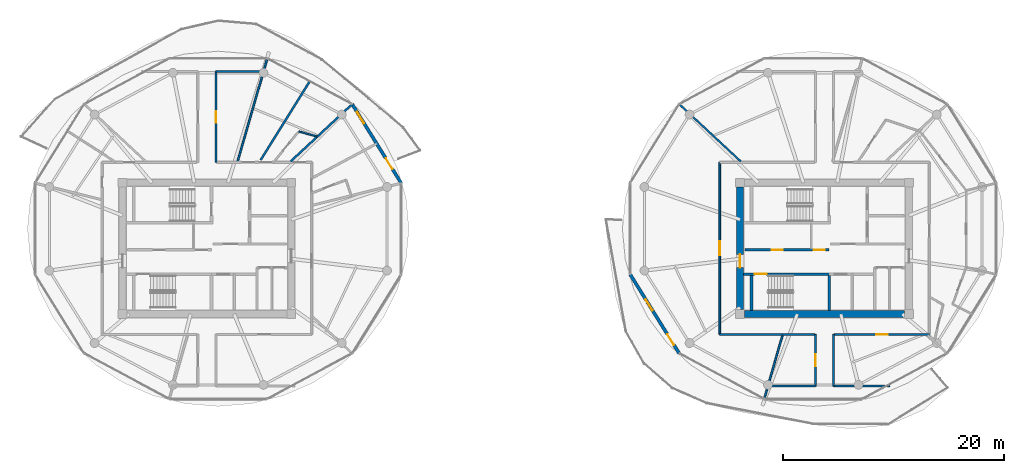
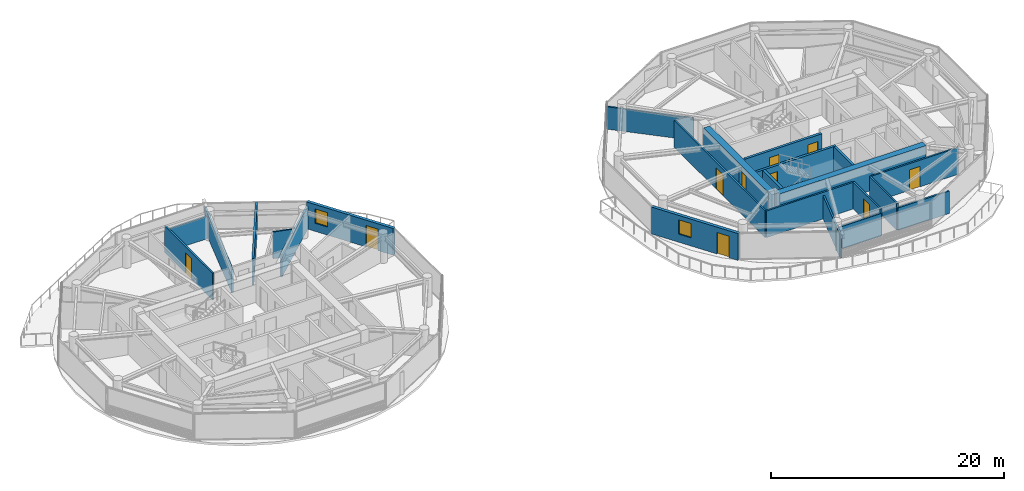
# One storey, part 14 of 21: 23 walls, 10 doors, 2 windows, 12 openings.
"""IFC4 building model written with IfcOpenShell, lengths in metres."""

from ifc_helpers import new_model, si_unit, direction, frame, frame_2d, origin, place, context, subcontext, project, spatial, rectangle, extrude, source, transform, mapped, material, layer, layer_set, type_object, type_shapes, element, fill, save


model = new_model("IFC4")

# Units and contexts
model_context = context("Model", 3, precision=1e-05, world=origin(), true_north=direction((0.0, 1.0)))
body_context = subcontext(model_context, "Body", "Model", "MODEL_VIEW")
ifc_project = project(units=[si_unit("LENGTHUNIT", "METRE"), si_unit("AREAUNIT", "SQUARE_METRE"), si_unit("VOLUMEUNIT", "CUBIC_METRE"), si_unit("PLANEANGLEUNIT", "RADIAN"), si_unit("MASSUNIT", "GRAM", prefix="KILO")], contexts=[model_context])

# Site, building, storey
site_placement = place(None, origin())
site = spatial("IfcSite", under=ifc_project, at=site_placement, CompositionType="ELEMENT")
building_placement = place(site_placement, origin())
building = spatial("IfcBuilding", under=site, at=building_placement, Name="Norrkilde Senior Care Towers", CompositionType="ELEMENT")
storey_placement = place(building_placement, frame((0.0, 0.0, 143.449951171875)))
storey = spatial("IfcBuildingStorey", under=building, at=storey_placement, Name="L44", CompositionType="ELEMENT", Elevation=143.449951171875)

# Wall
ifc_material_1 = material(Name="Concrete C50/60", Category="concrete")
ifc_layer_1 = layer(ifc_material_1, 0.6201171875)
ifc_layer_set_1 = layer_set([ifc_layer_1], Name="Concrete C50/60")
wall_type_1 = type_object("IfcWallType", Name="Core Shear Wall Z3 620", PredefinedType="SHEAR", material=ifc_layer_set_1)
shared_shape_1 = source(origin(), body_context, "Body", "SweptSolid", [
    extrude(rectangle(XDim=14.5, YDim=0.6201171875, at=frame_2d((7.25, 0.0))), origin(), (0.0, 0.0, 1.0), 2.81005859375),
])
wall_1_placement = place(storey_placement, frame((35.25, -5.949951171875, 0.0), z_axis=(0.0, 0.0, 1.0), x_axis=(-1.0, 0.0, 0.0)))
element("IfcWall", 1, at=wall_1_placement, inside=storey, type_object=wall_type_1, Name="L44 Core E South Shear Wall", PredefinedType="SHEAR", context=body_context, shape_type="MappedRepresentation", body=[
    mapped(shared_shape_1, transform((0.0, 0.0, 0.0), x_axis=(1.0, 0.0, 0.0), y_axis=(0.0, 1.0, 0.0), z_axis=(0.0, 0.0, 1.0), scale=1.0)),
])

# Wall, opening, door
shared_shape_2 = source(origin(), body_context, "Body", "SweptSolid", [
    extrude(rectangle(XDim=11.10009765625, YDim=0.6201171875, at=frame_2d((5.550048828125, 0.0))), origin(), (0.0, 0.0, 1.0), 2.81005859375),
])
type_shapes(wall_type_1, [shared_shape_1, shared_shape_2])
wall_2_placement = place(storey_placement, frame((20.35009765625, -5.550048828125, 0.0), z_axis=(0.0, 0.0, 1.0), x_axis=(0.0, 1.0, 0.0)))
wall_2 = element("IfcWall", 2, at=wall_2_placement, inside=storey, type_object=wall_type_1, Name="L44 Core E West Shear Wall", PredefinedType="SHEAR", context=body_context, shape_type="MappedRepresentation", body=[
    mapped(shared_shape_2, transform((0.0, 0.0, 0.0), x_axis=(1.0, 0.0, 0.0), y_axis=(0.0, 1.0, 0.0), z_axis=(0.0, 0.0, 1.0), scale=1.0)),
])
opening_1_placement = place(wall_2_placement, frame((3.800048828125, 0.0, 0.0)))
opening_1 = element("IfcOpeningElement", 3, at=opening_1_placement, cuts=wall_2, Name="Opening D-04", PredefinedType="OPENING", context=body_context, shape_type="SweptSolid", body=[
    extrude(rectangle(XDim=1.199951171875, YDim=2.14990234375, at=frame_2d((0.60009765625, 1.074951171875))), frame((0.0, 0.320068359375, 0.0), z_axis=(0.0, -1.0, 0.0), x_axis=(1.0, 0.0, 0.0)), (0.0, 0.0, 1.0), 0.64013671875),
])
ifc_material_2 = material(Name="Galvanised Painted Steel", Category="steel")
door_type_1 = type_object("IfcDoorType", Name="Firefighting Lobby Fire Door 1200x2150", OperationType="NOTDEFINED", PredefinedType="DOOR", material=ifc_material_2)
shared_shape_3 = source(origin(), body_context, "Body", "SweptSolid", [
    extrude(rectangle(XDim=1.199951171875, YDim=2.14990234375, at=frame_2d((0.60009765625, 1.074951171875))), frame((0.0, 0.02490234375, 0.0), z_axis=(0.0, -1.0, 0.0), x_axis=(1.0, 0.0, 0.0)), (0.0, 0.0, 1.0), 0.050048828125),
])
type_shapes(door_type_1, [shared_shape_3])
door_1_placement = place(opening_1_placement, frame((1.199951171875, 0.0, 0.0), z_axis=(0.0, 0.0, 1.0), x_axis=(-1.0, 0.0, 0.0)))
door_1 = element("IfcDoor", 4, at=door_1_placement, inside=storey, type_object=door_type_1, Name="L44 Core E West Portal Door", OperationType="SINGLE_SWING_LEFT", OverallHeight=2.14990234375, OverallWidth=1.199951171875, PredefinedType="DOOR", context=body_context, shape_type="MappedRepresentation", body=[
    mapped(shared_shape_3, transform((0.0, 0.0, 0.0), x_axis=(1.0, 0.0, 0.0), y_axis=(0.0, 1.0, 0.0), z_axis=(0.0, 0.0, 1.0), scale=1.0)),
])
fill(opening_1, door_1)

# Wall, openings, door, window
ifc_material_3 = material(Name="Precast concrete C45/55", Category="concrete")
ifc_layer_2 = layer(ifc_material_3, 0.2900390625)
ifc_layer_set_2 = layer_set([ifc_layer_2], Name="Precast concrete C45/55")
wall_type_2 = type_object("IfcWallType", Name="Winter Garden Facade Wall 290", PredefinedType="SOLIDWALL", material=ifc_layer_set_2)
shared_shape_4 = source(origin(), body_context, "Body", "SweptSolid", [
    extrude(rectangle(XDim=8.431396484375, YDim=0.2900390625, at=frame_2d((4.2158203125, 0.0))), origin(), (0.0, 0.0, 1.0), 2.81005859375),
])
type_shapes(wall_type_2, [shared_shape_4])
wall_3_placement = place(storey_placement, frame((-14.826904296875, 13.074951171875, 0.0), z_axis=(0.0, 0.0, 1.0), x_axis=(0.527377998418, -0.849630770855, 0.0)))
wall_3 = element("IfcWall", 5, at=wall_3_placement, inside=storey, type_object=wall_type_2, Name="L44 Drum W Balcony Access Wall 00", PredefinedType="SOLIDWALL", context=body_context, shape_type="MappedRepresentation", body=[
    mapped(shared_shape_4, transform((0.0, 0.0, 0.0), x_axis=(1.0, 0.0, 0.0), y_axis=(0.0, 1.0, 0.0), z_axis=(0.0, 0.0, 1.0), scale=1.0)),
])
opening_2_placement = place(wall_3_placement, frame((5.780029296875, 0.0, 0.0)))
opening_2 = element("IfcOpeningElement", 6, at=opening_2_placement, cuts=wall_3, Name="Opening D-09", PredefinedType="OPENING", context=body_context, shape_type="SweptSolid", body=[
    extrude(rectangle(XDim=1.14990234375, YDim=2.25, at=frame_2d((0.574951171875, 1.125))), frame((0.0, 0.155029296875, 0.0), z_axis=(0.0, -1.0, 0.0), x_axis=(1.0, 0.0, 0.0)), (0.0, 0.0, 1.0), 0.31005859375),
])
opening_3_placement = place(wall_3_placement, frame((0.85009765625, 0.0, 0.85009765625)))
opening_3 = element("IfcOpeningElement", 7, at=opening_3_placement, cuts=wall_3, Name="Opening WN-07", PredefinedType="OPENING", context=body_context, shape_type="SweptSolid", body=[
    extrude(rectangle(XDim=1.199951171875, YDim=1.5, at=frame_2d((0.60009765625, 0.75))), frame((0.0, 0.155029296875, 0.0), z_axis=(0.0, -1.0, 0.0), x_axis=(1.0, 0.0, 0.0)), (0.0, 0.0, 1.0), 0.31005859375),
])
ifc_material_4 = material(Name="Anodised Aluminium", Category="aluminium")
door_type_2 = type_object("IfcDoorType", Name="Terrace and Balcony Glazed Door 1150x2250", OperationType="NOTDEFINED", PredefinedType="DOOR", material=ifc_material_4)
shared_shape_5 = source(origin(), body_context, "Body", "SweptSolid", [
    extrude(rectangle(XDim=1.14990234375, YDim=2.25, at=frame_2d((0.574951171875, 1.125))), frame((0.0, 0.02490234375, 0.0), z_axis=(0.0, -1.0, 0.0), x_axis=(1.0, 0.0, 0.0)), (0.0, 0.0, 1.0), 0.050048828125),
])
type_shapes(door_type_2, [shared_shape_5])
door_2_placement = place(opening_2_placement, origin())
door_2 = element("IfcDoor", 8, at=door_2_placement, inside=storey, type_object=door_type_2, Name="L44 Drum W Outdoor Terrace Door 00", OperationType="SINGLE_SWING_LEFT", OverallHeight=2.25, OverallWidth=1.14990234375, PredefinedType="DOOR", context=body_context, shape_type="MappedRepresentation", body=[
    mapped(shared_shape_5, transform((0.0, 0.0, 0.0), x_axis=(1.0, 0.0, 0.0), y_axis=(0.0, 1.0, 0.0), z_axis=(0.0, 0.0, 1.0), scale=1.0)),
])
fill(opening_2, door_2)
ifc_material_5 = material(Name="Triple Low-E Insulated Glazing", Category="glass")
window_type = type_object("IfcWindowType", Name="Stairwell Smoke Vent Window 1200x1500", PartitioningType="SINGLE_PANEL", PredefinedType="WINDOW", material=ifc_material_5)
shared_shape_6 = source(origin(), body_context, "Body", "SweptSolid", [
    extrude(rectangle(XDim=1.199951171875, YDim=1.5, at=frame_2d((0.60009765625, 0.75))), frame((0.0, 0.030029296875, 0.0), z_axis=(0.0, -1.0, 0.0), x_axis=(1.0, 0.0, 0.0)), (0.0, 0.0, 1.0), 0.06005859375),
])
type_shapes(window_type, [shared_shape_6])
window_1_placement = place(opening_3_placement, origin())
window_1 = element("IfcWindow", 9, at=window_1_placement, inside=storey, type_object=window_type, Name="L44 Drum W Winter Garden Window 00", OverallHeight=1.5, OverallWidth=1.199951171875, PartitioningType="SINGLE_PANEL", PredefinedType="WINDOW", context=body_context, shape_type="MappedRepresentation", body=[
    mapped(shared_shape_6, transform((0.0, 0.0, 0.0), x_axis=(1.0, 0.0, 0.0), y_axis=(0.0, 1.0, 0.0), z_axis=(0.0, 0.0, 1.0), scale=1.0)),
])
fill(opening_3, window_1)

wall_4_placement = place(storey_placement, frame((14.826904296875, -9.524169921875, 0.0), z_axis=(0.0, 0.0, 1.0), x_axis=(-0.527377998418, 0.849630770855, 0.0)))
wall_4 = element("IfcWall", 10, at=wall_4_placement, inside=storey, type_object=wall_type_2, Name="L44 Drum E Balcony Access Wall 06", PredefinedType="SOLIDWALL", context=body_context, shape_type="MappedRepresentation", body=[
    mapped(shared_shape_4, transform((0.0, 0.0, 0.0), x_axis=(1.0, 0.0, 0.0), y_axis=(0.0, 1.0, 0.0), z_axis=(0.0, 0.0, 1.0), scale=1.0)),
])
opening_4_placement = place(wall_4_placement, frame((0.89990234375, 0.0, 0.0)))
opening_4 = element("IfcOpeningElement", 11, at=opening_4_placement, cuts=wall_4, Name="Opening D-09", PredefinedType="OPENING", context=body_context, shape_type="SweptSolid", body=[
    extrude(rectangle(XDim=1.14990234375, YDim=2.25, at=frame_2d((0.574951171875, 1.125))), frame((0.0, 0.155029296875, 0.0), z_axis=(0.0, -1.0, 0.0), x_axis=(1.0, 0.0, 0.0)), (0.0, 0.0, 1.0), 0.31005859375),
])
opening_5_placement = place(wall_4_placement, frame((4.565673828125, 0.0, 0.85009765625)))
opening_5 = element("IfcOpeningElement", 12, at=opening_5_placement, cuts=wall_4, Name="Opening WN-07", PredefinedType="OPENING", context=body_context, shape_type="SweptSolid", body=[
    extrude(rectangle(XDim=1.199951171875, YDim=1.5, at=frame_2d((0.60009765625, 0.75))), frame((0.0, 0.155029296875, 0.0), z_axis=(0.0, -1.0, 0.0), x_axis=(1.0, 0.0, 0.0)), (0.0, 0.0, 1.0), 0.31005859375),
])
door_3_placement = place(opening_4_placement, origin())
door_3 = element("IfcDoor", 13, at=door_3_placement, inside=storey, type_object=door_type_2, Name="L44 Drum E Outdoor Terrace Door 06", OperationType="SINGLE_SWING_LEFT", OverallHeight=2.25, OverallWidth=1.14990234375, PredefinedType="DOOR", context=body_context, shape_type="MappedRepresentation", body=[
    mapped(shared_shape_5, transform((0.0, 0.0, 0.0), x_axis=(1.0, 0.0, 0.0), y_axis=(0.0, 1.0, 0.0), z_axis=(0.0, 0.0, 1.0), scale=1.0)),
])
fill(opening_4, door_3)
window_2_placement = place(opening_5_placement, origin())
window_2 = element("IfcWindow", 14, at=window_2_placement, inside=storey, type_object=window_type, Name="L44 Drum E Winter Garden Window 06", OverallHeight=1.5, OverallWidth=1.199951171875, PartitioningType="SINGLE_PANEL", PredefinedType="WINDOW", context=body_context, shape_type="MappedRepresentation", body=[
    mapped(shared_shape_6, transform((0.0, 0.0, 0.0), x_axis=(1.0, 0.0, 0.0), y_axis=(0.0, 1.0, 0.0), z_axis=(0.0, 0.0, 1.0), scale=1.0)),
])
fill(opening_5, window_2)

# Wall, opening, door
ifc_material_6 = material(Name="Concrete C45/55", Category="concrete")
ifc_layer_3 = layer(ifc_material_6, 0.239990234375)
ifc_layer_set_3 = layer_set([ifc_layer_3], Name="Concrete C45/55")
wall_type_3 = type_object("IfcWallType", Name="Shaft and Stair Enclosure Wall 240", PredefinedType="PARTITIONING", material=ifc_layer_set_3)
shared_shape_7 = source(origin(), body_context, "Body", "SweptSolid", [
    extrude(rectangle(XDim=7.880126953125, YDim=0.239990234375, at=frame_2d((3.93994140625, 0.0))), origin(), (0.0, 0.0, 1.0), 2.81005859375),
])
wall_5_placement = place(storey_placement, frame((20.659912109375, -2.330078125, 0.0), z_axis=(0.0, 0.0, 1.0), x_axis=(1.0, 0.0, 0.0)))
wall_5 = element("IfcWall", 15, at=wall_5_placement, inside=storey, type_object=wall_type_3, Name="WL-INT-L44-E-ST2N", PredefinedType="PARTITIONING", context=body_context, shape_type="MappedRepresentation", body=[
    mapped(shared_shape_7, transform((0.0, 0.0, 0.0), x_axis=(1.0, 0.0, 0.0), y_axis=(0.0, 1.0, 0.0), z_axis=(0.0, 0.0, 1.0), scale=1.0)),
])
opening_6_placement = place(wall_5_placement, frame((1.0, 0.0, 0.0)))
opening_6 = element("IfcOpeningElement", 16, at=opening_6_placement, cuts=wall_5, Name="Opening D-03", PredefinedType="OPENING", context=body_context, shape_type="SweptSolid", body=[
    extrude(rectangle(XDim=1.10009765625, YDim=2.14990234375, at=frame_2d((0.550048828125, 1.074951171875))), frame((0.0, 0.1298828125, 0.0), z_axis=(0.0, -1.0, 0.0), x_axis=(1.0, 0.0, 0.0)), (0.0, 0.0, 1.0), 0.260009765625),
])
door_type_3 = type_object("IfcDoorType", Name="Stairwell Protected Fire Door 1100x2150", OperationType="NOTDEFINED", PredefinedType="DOOR", material=ifc_material_2)
shared_shape_8 = source(origin(), body_context, "Body", "SweptSolid", [
    extrude(rectangle(XDim=1.10009765625, YDim=2.14990234375, at=frame_2d((0.550048828125, 1.074951171875))), frame((0.0, 0.02490234375, 0.0), z_axis=(0.0, -1.0, 0.0), x_axis=(1.0, 0.0, 0.0)), (0.0, 0.0, 1.0), 0.050048828125),
])
type_shapes(door_type_3, [shared_shape_8])
door_4_placement = place(opening_6_placement, frame((1.10009765625, 0.0, 0.0), z_axis=(0.0, 0.0, 1.0), x_axis=(-1.0, 0.0, 0.0)))
door_4 = element("IfcDoor", 17, at=door_4_placement, inside=storey, type_object=door_type_3, Name="L44 Stair E2 Fire Door", OperationType="SINGLE_SWING_RIGHT", OverallHeight=2.14990234375, OverallWidth=1.10009765625, PredefinedType="DOOR", context=body_context, shape_type="MappedRepresentation", body=[
    mapped(shared_shape_8, transform((0.0, 0.0, 0.0), x_axis=(1.0, 0.0, 0.0), y_axis=(0.0, 1.0, 0.0), z_axis=(0.0, 0.0, 1.0), scale=1.0)),
])
fill(opening_6, door_4)

# Walls
shared_shape_9 = source(origin(), body_context, "Body", "SweptSolid", [
    extrude(rectangle(XDim=3.18994140625, YDim=0.239990234375, at=frame_2d((1.594970703125, 0.0))), origin(), (0.0, 0.0, 1.0), 2.81005859375),
])
type_shapes(wall_type_3, [shared_shape_7, shared_shape_9])
for number, where, z_axis, x_axis, name in (
    (18, (21.3798828125, -5.639892578125, 0.0), (0.0, 0.0, 1.0), (0.0, 1.0, 0.0), "WL-INT-L44-E-ST2W"),
    (19, (28.419921875, -5.639892578125, 0.0), (0.0, 0.0, 1.0), (0.0, 1.0, 0.0), "WL-INT-L44-E-ST2E"),
):
    element("IfcWall", number, at=place(storey_placement, frame(where, z_axis=z_axis, x_axis=x_axis)), inside=storey, type_object=wall_type_3, Name=name, PredefinedType="PARTITIONING", context=body_context, shape_type="MappedRepresentation", body=[
        mapped(shared_shape_9, transform((0.0, 0.0, 0.0), x_axis=(1.0, 0.0, 0.0), y_axis=(0.0, 1.0, 0.0), z_axis=(0.0, 0.0, 1.0), scale=1.0)),
    ])
ifc_material_7 = material(Name="Gypsum Acoustic Board")
ifc_layer_4 = layer(ifc_material_7, 0.1650390625)
ifc_layer_set_4 = layer_set([ifc_layer_4], Name="Gypsum Acoustic Board")
wall_type_4 = type_object("IfcWallType", Name="Corridor Rated Partition 165", PredefinedType="PARTITIONING", material=ifc_layer_set_4)
shared_shape_10 = source(origin(), body_context, "Body", "SweptSolid", [
    extrude(rectangle(XDim=4.46875, YDim=0.1650390625, at=frame_2d((2.234375, 0.0))), origin(), (0.0, 0.0, 1.0), 2.344970703125),
])
for number, where, z_axis, x_axis, name in (
    (20, (-27.179931640625, 16.035400390625, 0.0), (0.0, 0.0, 1.0), (1.0, 0.0, 0.0), "WL-INT-L44-W-PKH-NEL-0"),
    (21, (22.711181640625, -12.484619140625, 0.0), (0.0, 0.0, 1.0), (1.0, 0.0, 0.0), "WL-INT-L44-E-PKH-SWL-0"),
):
    element("IfcWall", number, at=place(storey_placement, frame(where, z_axis=z_axis, x_axis=x_axis)), inside=storey, type_object=wall_type_4, Name=name, PredefinedType="PARTITIONING", context=body_context, shape_type="MappedRepresentation", body=[
        mapped(shared_shape_10, transform((0.0, 0.0, 0.0), x_axis=(1.0, 0.0, 0.0), y_axis=(0.0, 1.0, 0.0), z_axis=(0.0, 0.0, 1.0), scale=1.0)),
    ])
ifc_layer_5 = layer(ifc_material_7, 0.18994140625)
ifc_layer_set_5 = layer_set([ifc_layer_5], Name="Gypsum Acoustic Board")
wall_type_5 = type_object("IfcWallType", Name="Unit Demising Acoustic Wall 190", PredefinedType="PARTITIONING", material=ifc_layer_set_5)
shared_shape_11 = source(origin(), body_context, "Body", "SweptSolid", [
    extrude(rectangle(XDim=7.648193359375, YDim=0.18994140625, at=frame_2d((3.82421875, 0.0))), origin(), (0.0, 0.0, 1.0), 2.344970703125),
])
wall_6_placement = place(storey_placement, frame((-20.41259765625, 7.8798828125, 0.0), z_axis=(0.0, 0.0, 1.0), x_axis=(0.732182665826, 0.681108320213, 0.0)))
element("IfcWall", 22, at=wall_6_placement, inside=storey, type_object=wall_type_5, Name="WL-INT-L44-W-DEM-01-0", PredefinedType="PARTITIONING", context=body_context, shape_type="MappedRepresentation", body=[
    mapped(shared_shape_11, transform((0.0, 0.0, 0.0), x_axis=(1.0, 0.0, 0.0), y_axis=(0.0, 1.0, 0.0), z_axis=(0.0, 0.0, 1.0), scale=1.0)),
])
shared_shape_12 = source(origin(), body_context, "Body", "SweptSolid", [
    extrude(rectangle(XDim=7.648193359375, YDim=0.1650390625, at=frame_2d((3.82421875, 0.0))), origin(), (0.0, 0.0, 1.0), 2.344970703125),
])
wall_7_placement = place(storey_placement, frame((20.41259765625, 7.8798828125, 0.0), z_axis=(0.0, 0.0, 1.0), x_axis=(-0.732182665826, 0.681108320213, 0.0)))
element("IfcWall", 23, at=wall_7_placement, inside=storey, type_object=wall_type_4, Name="WL-INT-L44-E-DEM-04-0", PredefinedType="PARTITIONING", context=body_context, shape_type="MappedRepresentation", body=[
    mapped(shared_shape_12, transform((0.0, 0.0, 0.0), x_axis=(1.0, 0.0, 0.0), y_axis=(0.0, 1.0, 0.0), z_axis=(0.0, 0.0, 1.0), scale=1.0)),
])
shared_shape_13 = source(origin(), body_context, "Body", "SweptSolid", [
    extrude(rectangle(XDim=5.089111328125, YDim=0.1650390625, at=frame_2d((2.54443359375, 0.0))), origin(), (0.0, 0.0, 1.0), 2.344970703125),
])
wall_8_placement = place(storey_placement, frame((28.820068359375, -12.484619140625, 0.0), z_axis=(0.0, 0.0, 1.0), x_axis=(1.0, 0.0, 0.0)))
element("IfcWall", 24, at=wall_8_placement, inside=storey, type_object=wall_type_4, Name="WL-INT-L44-E-PKH-SEL-0", PredefinedType="PARTITIONING", context=body_context, shape_type="MappedRepresentation", body=[
    mapped(shared_shape_13, transform((0.0, 0.0, 0.0), x_axis=(1.0, 0.0, 0.0), y_axis=(0.0, 1.0, 0.0), z_axis=(0.0, 0.0, 1.0), scale=1.0)),
])

# Wall, openings, doors
ifc_layer_6 = layer(ifc_material_6, 0.239990234375)
ifc_layer_set_6 = layer_set([ifc_layer_6], Name="Concrete C45/55")
wall_type_6 = type_object("IfcWallType", Name="Lift and Plant Rated Enclosure Partition 240", PredefinedType="PARTITIONING", material=ifc_layer_set_6)
shared_shape_14 = source(origin(), body_context, "Body", "SweptSolid", [
    extrude(rectangle(XDim=7.619873046875, YDim=0.239990234375, at=frame_2d((3.81005859375, 0.0))), origin(), (0.0, 0.0, 1.0), 2.795166015625),
])
type_shapes(wall_type_6, [shared_shape_14])
wall_9_placement = place(storey_placement, frame((20.800048828125, -0.1298828125, 0.0), z_axis=(0.0, 0.0, 1.0), x_axis=(1.0, 0.0, 0.0)))
wall_9 = element("IfcWall", 25, at=wall_9_placement, inside=storey, type_object=wall_type_6, Name="WL-INT-L44-E-PKAS", PredefinedType="PARTITIONING", context=body_context, shape_type="MappedRepresentation", body=[
    mapped(shared_shape_14, transform((0.0, 0.0, 0.0), x_axis=(1.0, 0.0, 0.0), y_axis=(0.0, 1.0, 0.0), z_axis=(0.0, 0.0, 1.0), scale=1.0)),
])
opening_7_placement = place(wall_9_placement, frame((6.219970703125, 0.0, 0.0)))
opening_7 = element("IfcOpeningElement", 26, at=opening_7_placement, cuts=wall_9, Name="Opening D-10", PredefinedType="OPENING", context=body_context, shape_type="SweptSolid", body=[
    extrude(rectangle(XDim=1.0, YDim=2.10009765625, at=frame_2d((0.5, 1.050048828125))), frame((0.0, 0.1298828125, 0.0), z_axis=(0.0, -1.0, 0.0), x_axis=(1.0, 0.0, 0.0)), (0.0, 0.0, 1.0), 0.260009765625),
])
opening_8_placement = place(wall_9_placement, frame((2.39990234375, 0.0, 0.0)))
opening_8 = element("IfcOpeningElement", 27, at=opening_8_placement, cuts=wall_9, Name="Opening D-10", PredefinedType="OPENING", context=body_context, shape_type="SweptSolid", body=[
    extrude(rectangle(XDim=1.0, YDim=2.10009765625, at=frame_2d((0.5, 1.050048828125))), frame((0.0, 0.1298828125, 0.0), z_axis=(0.0, -1.0, 0.0), x_axis=(1.0, 0.0, 0.0)), (0.0, 0.0, 1.0), 0.260009765625),
])
door_type_4 = type_object("IfcDoorType", Name="Plant and Riser Rated Door 1000x2100", OperationType="NOTDEFINED", PredefinedType="DOOR", material=ifc_material_2)
shared_shape_15 = source(origin(), body_context, "Body", "SweptSolid", [
    extrude(rectangle(XDim=1.0, YDim=2.10009765625, at=frame_2d((0.5, 1.050048828125))), frame((0.0, 0.02490234375, 0.0), z_axis=(0.0, -1.0, 0.0), x_axis=(1.0, 0.0, 0.0)), (0.0, 0.0, 1.0), 0.050048828125),
])
type_shapes(door_type_4, [shared_shape_15])
door_5_placement = place(opening_7_placement, frame((1.0, 0.0, 0.0), z_axis=(0.0, 0.0, 1.0), x_axis=(-1.0, 0.0, 0.0)))
door_5 = element("IfcDoor", 28, at=door_5_placement, inside=storey, type_object=door_type_4, Name="L44 Electrical Riser E Door", OperationType="SINGLE_SWING_LEFT", OverallHeight=2.10009765625, OverallWidth=1.0, PredefinedType="DOOR", context=body_context, shape_type="MappedRepresentation", body=[
    mapped(shared_shape_15, transform((0.0, 0.0, 0.0), x_axis=(1.0, 0.0, 0.0), y_axis=(0.0, 1.0, 0.0), z_axis=(0.0, 0.0, 1.0), scale=1.0)),
])
fill(opening_7, door_5)
door_6_placement = place(opening_8_placement, frame((1.0, 0.0, 0.0), z_axis=(0.0, 0.0, 1.0), x_axis=(-1.0, 0.0, 0.0)))
door_6 = element("IfcDoor", 29, at=door_6_placement, inside=storey, type_object=door_type_4, Name="L44 Clean Supply Store E Door", OperationType="SINGLE_SWING_LEFT", OverallHeight=2.10009765625, OverallWidth=1.0, PredefinedType="DOOR", context=body_context, shape_type="MappedRepresentation", body=[
    mapped(shared_shape_15, transform((0.0, 0.0, 0.0), x_axis=(1.0, 0.0, 0.0), y_axis=(0.0, 1.0, 0.0), z_axis=(0.0, 0.0, 1.0), scale=1.0)),
])
fill(opening_8, door_6)

# Wall, opening, door
shared_shape_16 = source(origin(), body_context, "Body", "SweptSolid", [
    extrude(rectangle(XDim=8.60009765625, YDim=0.1650390625, at=frame_2d((4.300048828125, 0.0))), origin(), (0.0, 0.0, 1.0), 2.795166015625),
])
wall_10_placement = place(storey_placement, frame((37.5, -7.800048828125, 0.0), z_axis=(0.0, 0.0, 1.0), x_axis=(-1.0, 0.0, 0.0)))
wall_10 = element("IfcWall", 30, at=wall_10_placement, inside=storey, type_object=wall_type_4, Name="WL-INT-L44-E-CRW-S-0", PredefinedType="PARTITIONING", context=body_context, shape_type="MappedRepresentation", body=[
    mapped(shared_shape_16, transform((0.0, 0.0, 0.0), x_axis=(1.0, 0.0, 0.0), y_axis=(0.0, 1.0, 0.0), z_axis=(0.0, 0.0, 1.0), scale=1.0)),
])
opening_9_placement = place(wall_10_placement, frame((3.77490234375, 0.0, 0.0)))
opening_9 = element("IfcOpeningElement", 31, at=opening_9_placement, cuts=wall_10, Name="Opening D-06", PredefinedType="OPENING", context=body_context, shape_type="SweptSolid", body=[
    extrude(rectangle(XDim=1.050048828125, YDim=2.14990234375, at=frame_2d((0.52490234375, 1.074951171875))), frame((0.0, 0.092529296875, 0.0), z_axis=(0.0, -1.0, 0.0), x_axis=(1.0, 0.0, 0.0)), (0.0, 0.0, 1.0), 0.18505859375),
])
ifc_material_8 = material(Name="Nordic Ash Timber", Category="wood")
door_type_5 = type_object("IfcDoorType", Name="Apartment Entrance Fire Door 1050x2150", OperationType="NOTDEFINED", PredefinedType="DOOR", material=ifc_material_8)
shared_shape_17 = source(origin(), body_context, "Body", "SweptSolid", [
    extrude(rectangle(XDim=1.050048828125, YDim=2.14990234375, at=frame_2d((0.52490234375, 1.074951171875))), frame((0.0, 0.02490234375, 0.0), z_axis=(0.0, -1.0, 0.0), x_axis=(1.0, 0.0, 0.0)), (0.0, 0.0, 1.0), 0.050048828125),
])
type_shapes(door_type_5, [shared_shape_17])
door_7_placement = place(opening_9_placement, frame((1.050048828125, 0.0, 0.0), z_axis=(0.0, 0.0, 1.0), x_axis=(-1.0, 0.0, 0.0)))
door_7 = element("IfcDoor", 32, at=door_7_placement, inside=storey, type_object=door_type_5, Name="L44 Reading Lounge SEL Door", OperationType="SINGLE_SWING_RIGHT", OverallHeight=2.14990234375, OverallWidth=1.050048828125, PredefinedType="DOOR", context=body_context, shape_type="MappedRepresentation", body=[
    mapped(shared_shape_17, transform((0.0, 0.0, 0.0), x_axis=(1.0, 0.0, 0.0), y_axis=(0.0, 1.0, 0.0), z_axis=(0.0, 0.0, 1.0), scale=1.0)),
])
fill(opening_9, door_7)

# Wall
wall_11_placement = place(storey_placement, frame((27.10009765625, -7.800048828125, 0.0), z_axis=(0.0, 0.0, 1.0), x_axis=(-1.0, 0.0, 0.0)))
element("IfcWall", 33, at=wall_11_placement, inside=storey, type_object=wall_type_4, Name="WL-INT-L44-E-CRW-S-1", PredefinedType="PARTITIONING", context=body_context, shape_type="MappedRepresentation", body=[
    mapped(shared_shape_16, transform((0.0, 0.0, 0.0), x_axis=(1.0, 0.0, 0.0), y_axis=(0.0, 1.0, 0.0), z_axis=(0.0, 0.0, 1.0), scale=1.0)),
])

# Wall, opening, door
shared_shape_18 = source(origin(), body_context, "Body", "SweptSolid", [
    extrude(rectangle(XDim=15.60009765625, YDim=0.1650390625, at=frame_2d((7.800048828125, 0.0))), origin(), (0.0, 0.0, 1.0), 2.795166015625),
])
wall_12_placement = place(storey_placement, frame((18.5, -7.800048828125, 0.0), z_axis=(0.0, 0.0, 1.0), x_axis=(0.0, 1.0, 0.0)))
wall_12 = element("IfcWall", 34, at=wall_12_placement, inside=storey, type_object=wall_type_4, Name="WL-INT-L44-E-CRW-W-0", PredefinedType="PARTITIONING", context=body_context, shape_type="MappedRepresentation", body=[
    mapped(shared_shape_18, transform((0.0, 0.0, 0.0), x_axis=(1.0, 0.0, 0.0), y_axis=(0.0, 1.0, 0.0), z_axis=(0.0, 0.0, 1.0), scale=1.0)),
])
opening_10_placement = place(wall_12_placement, frame((7.175048828125, 0.0, 0.0)))
opening_10 = element("IfcOpeningElement", 35, at=opening_10_placement, cuts=wall_12, Name="Opening D-05", PredefinedType="OPENING", context=body_context, shape_type="SweptSolid", body=[
    extrude(rectangle(XDim=1.25, YDim=2.199951171875, at=frame_2d((0.625, 1.10009765625))), frame((0.0, 0.092529296875, 0.0), z_axis=(0.0, -1.0, 0.0), x_axis=(1.0, 0.0, 0.0)), (0.0, 0.0, 1.0), 0.18505859375),
])
door_type_6 = type_object("IfcDoorType", Name="Care Bedroom Bariatric Door 1250x2200", OperationType="NOTDEFINED", PredefinedType="DOOR", material=ifc_material_8)
shared_shape_19 = source(origin(), body_context, "Body", "SweptSolid", [
    extrude(rectangle(XDim=1.25, YDim=2.199951171875, at=frame_2d((0.625, 1.10009765625))), frame((0.0, 0.02490234375, 0.0), z_axis=(0.0, -1.0, 0.0), x_axis=(1.0, 0.0, 0.0)), (0.0, 0.0, 1.0), 0.050048828125),
])
type_shapes(door_type_6, [shared_shape_19])
door_8_placement = place(opening_10_placement, frame((1.25, 0.0, 0.0), z_axis=(0.0, 0.0, 1.0), x_axis=(-1.0, 0.0, 0.0)))
door_8 = element("IfcDoor", 36, at=door_8_placement, inside=storey, type_object=door_type_6, Name="L44 Senior Wellness Library Lounge Door", OperationType="SINGLE_SWING_LEFT", OverallHeight=2.199951171875, OverallWidth=1.25, PredefinedType="DOOR", context=body_context, shape_type="MappedRepresentation", body=[
    mapped(shared_shape_19, transform((0.0, 0.0, 0.0), x_axis=(1.0, 0.0, 0.0), y_axis=(0.0, 1.0, 0.0), z_axis=(0.0, 0.0, 1.0), scale=1.0)),
])
fill(opening_10, door_8)

shared_shape_20 = source(origin(), body_context, "Body", "SweptSolid", [
    extrude(rectangle(XDim=8.2353515625, YDim=0.1650390625, at=frame_2d((4.11767578125, 0.0))), origin(), (0.0, 0.0, 1.0), 2.795166015625),
])
wall_13_placement = place(storey_placement, frame((-27.179931640625, 7.800048828125, 0.0), z_axis=(0.0, 0.0, 1.0), x_axis=(0.0, 1.0, 0.0)))
wall_13 = element("IfcWall", 37, at=wall_13_placement, inside=storey, type_object=wall_type_4, Name="WL-INT-L44-W-PKW-NEL", PredefinedType="PARTITIONING", context=body_context, shape_type="MappedRepresentation", body=[
    mapped(shared_shape_20, transform((0.0, 0.0, 0.0), x_axis=(1.0, 0.0, 0.0), y_axis=(0.0, 1.0, 0.0), z_axis=(0.0, 0.0, 1.0), scale=1.0)),
])
opening_11_placement = place(wall_13_placement, frame((3.5927734375, 0.0, 0.0)))
opening_11 = element("IfcOpeningElement", 38, at=opening_11_placement, cuts=wall_13, Name="Opening D-06", PredefinedType="OPENING", context=body_context, shape_type="SweptSolid", body=[
    extrude(rectangle(XDim=1.050048828125, YDim=2.14990234375, at=frame_2d((0.52490234375, 1.074951171875))), frame((0.0, 0.092529296875, 0.0), z_axis=(0.0, -1.0, 0.0), x_axis=(1.0, 0.0, 0.0)), (0.0, 0.0, 1.0), 0.18505859375),
])
door_9_placement = place(opening_11_placement, frame((1.050048828125, 0.0, 0.0), z_axis=(0.0, 0.0, 1.0), x_axis=(-1.0, 0.0, 0.0)))
door_9 = element("IfcDoor", 39, at=door_9_placement, inside=storey, type_object=door_type_5, Name="L44 Reading Lounge NEL Door", OperationType="SINGLE_SWING_RIGHT", OverallHeight=2.14990234375, OverallWidth=1.050048828125, PredefinedType="DOOR", context=body_context, shape_type="MappedRepresentation", body=[
    mapped(shared_shape_17, transform((0.0, 0.0, 0.0), x_axis=(1.0, 0.0, 0.0), y_axis=(0.0, 1.0, 0.0), z_axis=(0.0, 0.0, 1.0), scale=1.0)),
])
fill(opening_11, door_9)

shared_shape_21 = source(origin(), body_context, "Body", "SweptSolid", [
    extrude(rectangle(XDim=4.6845703125, YDim=0.1650390625, at=frame_2d((2.34228515625, 0.0))), origin(), (0.0, 0.0, 1.0), 2.795166015625),
])
wall_14_placement = place(storey_placement, frame((27.179931640625, -12.484619140625, 0.0), z_axis=(0.0, 0.0, 1.0), x_axis=(0.0, 1.0, 0.0)))
wall_14 = element("IfcWall", 40, at=wall_14_placement, inside=storey, type_object=wall_type_4, Name="WL-INT-L44-E-PKW-SWL", PredefinedType="PARTITIONING", context=body_context, shape_type="MappedRepresentation", body=[
    mapped(shared_shape_21, transform((0.0, 0.0, 0.0), x_axis=(1.0, 0.0, 0.0), y_axis=(0.0, 1.0, 0.0), z_axis=(0.0, 0.0, 1.0), scale=1.0)),
])
opening_12_placement = place(wall_14_placement, frame((1.8173828125, 0.0, 0.0)))
opening_12 = element("IfcOpeningElement", 41, at=opening_12_placement, cuts=wall_14, Name="Opening D-06", PredefinedType="OPENING", context=body_context, shape_type="SweptSolid", body=[
    extrude(rectangle(XDim=1.050048828125, YDim=2.14990234375, at=frame_2d((0.52490234375, 1.074951171875))), frame((0.0, 0.092529296875, 0.0), z_axis=(0.0, -1.0, 0.0), x_axis=(1.0, 0.0, 0.0)), (0.0, 0.0, 1.0), 0.18505859375),
])
door_10_placement = place(opening_12_placement, frame((1.050048828125, 0.0, 0.0), z_axis=(0.0, 0.0, 1.0), x_axis=(-1.0, 0.0, 0.0)))
door_10 = element("IfcDoor", 42, at=door_10_placement, inside=storey, type_object=door_type_5, Name="L44 Reading Lounge SWL Door", OperationType="SINGLE_SWING_RIGHT", OverallHeight=2.14990234375, OverallWidth=1.050048828125, PredefinedType="DOOR", context=body_context, shape_type="MappedRepresentation", body=[
    mapped(shared_shape_17, transform((0.0, 0.0, 0.0), x_axis=(1.0, 0.0, 0.0), y_axis=(0.0, 1.0, 0.0), z_axis=(0.0, 0.0, 1.0), scale=1.0)),
])
fill(opening_12, door_10)

# Walls
wall_15_placement = place(storey_placement, frame((28.820068359375, -12.484619140625, 0.0), z_axis=(0.0, 0.0, 1.0), x_axis=(0.0, 1.0, 0.0)))
element("IfcWall", 43, at=wall_15_placement, inside=storey, type_object=wall_type_4, Name="WL-INT-L44-E-PKW-SEL", PredefinedType="PARTITIONING", context=body_context, shape_type="MappedRepresentation", body=[
    mapped(shared_shape_21, transform((0.0, 0.0, 0.0), x_axis=(1.0, 0.0, 0.0), y_axis=(0.0, 1.0, 0.0), z_axis=(0.0, 0.0, 1.0), scale=1.0)),
])
shared_shape_22 = source(origin(), body_context, "Body", "SweptSolid", [
    extrude(rectangle(XDim=9.73046875, YDim=0.1650390625, at=frame_2d((4.865234375, 0.0))), origin(), (0.0, 0.0, 1.0), 2.43505859375),
])
wall_16_placement = place(storey_placement, frame((-25.216552734375, 7.8798828125, 0.0), z_axis=(0.0, 0.0, 1.0), x_axis=(0.27679492614, 0.960929013436, 0.0)))
element("IfcWall", 44, at=wall_16_placement, inside=storey, type_object=wall_type_4, Name="WL-INT-L44-W-DEM-02-0", PredefinedType="PARTITIONING", context=body_context, shape_type="MappedRepresentation", body=[
    mapped(shared_shape_22, transform((0.0, 0.0, 0.0), x_axis=(1.0, 0.0, 0.0), y_axis=(0.0, 1.0, 0.0), z_axis=(0.0, 0.0, 1.0), scale=1.0)),
])
shared_shape_23 = source(origin(), body_context, "Body", "SweptSolid", [
    extrude(rectangle(XDim=8.42236328125, YDim=0.18994140625, at=frame_2d((4.211181640625, 0.0))), origin(), (0.0, 0.0, 1.0), 2.795166015625),
])
type_shapes(wall_type_5, [shared_shape_11, shared_shape_23])
wall_17_placement = place(storey_placement, frame((-23.12548828125, 8.013671875, 0.0), z_axis=(0.0, 0.0, 1.0), x_axis=(0.52925352896, 0.848463730565, 0.0)))
element("IfcWall", 45, at=wall_17_placement, inside=storey, type_object=wall_type_5, Name="WL-INT-L44-W-CMID-01", PredefinedType="PARTITIONING", context=body_context, shape_type="MappedRepresentation", body=[
    mapped(shared_shape_23, transform((0.0, 0.0, 0.0), x_axis=(1.0, 0.0, 0.0), y_axis=(0.0, 1.0, 0.0), z_axis=(0.0, 0.0, 1.0), scale=1.0)),
])
ifc_layer_7 = layer(ifc_material_7, 0.139892578125)
ifc_layer_set_7 = layer_set([ifc_layer_7], Name="Gypsum Acoustic Board")
wall_type_7 = type_object("IfcWallType", Name="En-suite Wet Room Wall 140", PredefinedType="PARTITIONING", material=ifc_layer_set_7)
shared_shape_24 = source(origin(), body_context, "Body", "SweptSolid", [
    extrude(rectangle(XDim=1.69677734375, YDim=0.139892578125, at=frame_2d((0.848388671875, 0.0))), origin(), (0.0, 0.0, 1.0), 2.795166015625),
])
type_shapes(wall_type_7, [shared_shape_24])
wall_18_placement = place(storey_placement, frame((-19.661865234375, 10.59619140625, 0.0), z_axis=(0.0, 0.0, 1.0), x_axis=(0.964667458123, -0.263470482671, 0.0)))
element("IfcWall", 46, at=wall_18_placement, inside=storey, type_object=wall_type_7, Name="WL-INT-L44-W-EF-01A", PredefinedType="PARTITIONING", context=body_context, shape_type="MappedRepresentation", body=[
    mapped(shared_shape_24, transform((0.0, 0.0, 0.0), x_axis=(1.0, 0.0, 0.0), y_axis=(0.0, 1.0, 0.0), z_axis=(0.0, 0.0, 1.0), scale=1.0)),
])
shared_shape_25 = source(origin(), body_context, "Body", "SweptSolid", [
    extrude(rectangle(XDim=6.035400390625, YDim=0.1650390625, at=frame_2d((3.017578125, 0.0))), origin(), (0.0, 0.0, 1.0), 2.43505859375),
])
type_shapes(wall_type_4, [shared_shape_10, shared_shape_12, shared_shape_13, shared_shape_16, shared_shape_18, shared_shape_20, shared_shape_21, shared_shape_22, shared_shape_25])
wall_19_placement = place(storey_placement, frame((24.19384765625, -7.8798828125, 0.0), z_axis=(0.0, 0.0, 1.0), x_axis=(-0.276809454862, -0.960924828329, 0.0)))
element("IfcWall", 47, at=wall_19_placement, inside=storey, type_object=wall_type_4, Name="WL-INT-L44-E-DEM-08-0", PredefinedType="PARTITIONING", context=body_context, shape_type="MappedRepresentation", body=[
    mapped(shared_shape_25, transform((0.0, 0.0, 0.0), x_axis=(1.0, 0.0, 0.0), y_axis=(0.0, 1.0, 0.0), z_axis=(0.0, 0.0, 1.0), scale=1.0)),
])

save(model, "model.ifc")
